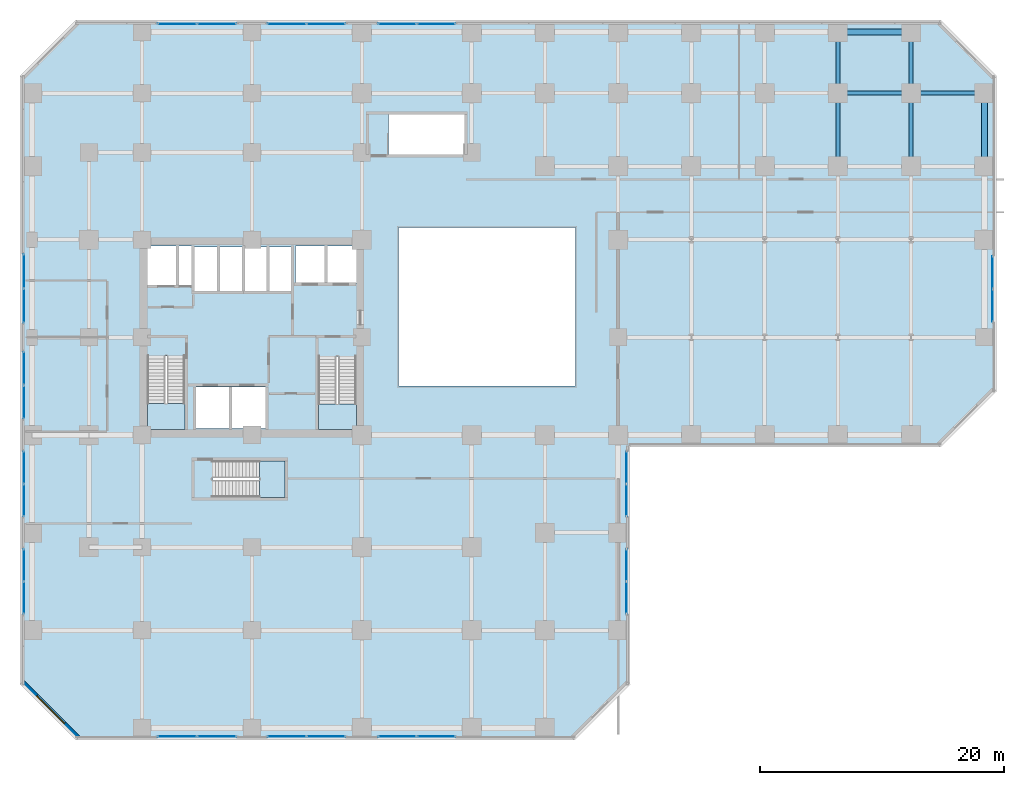
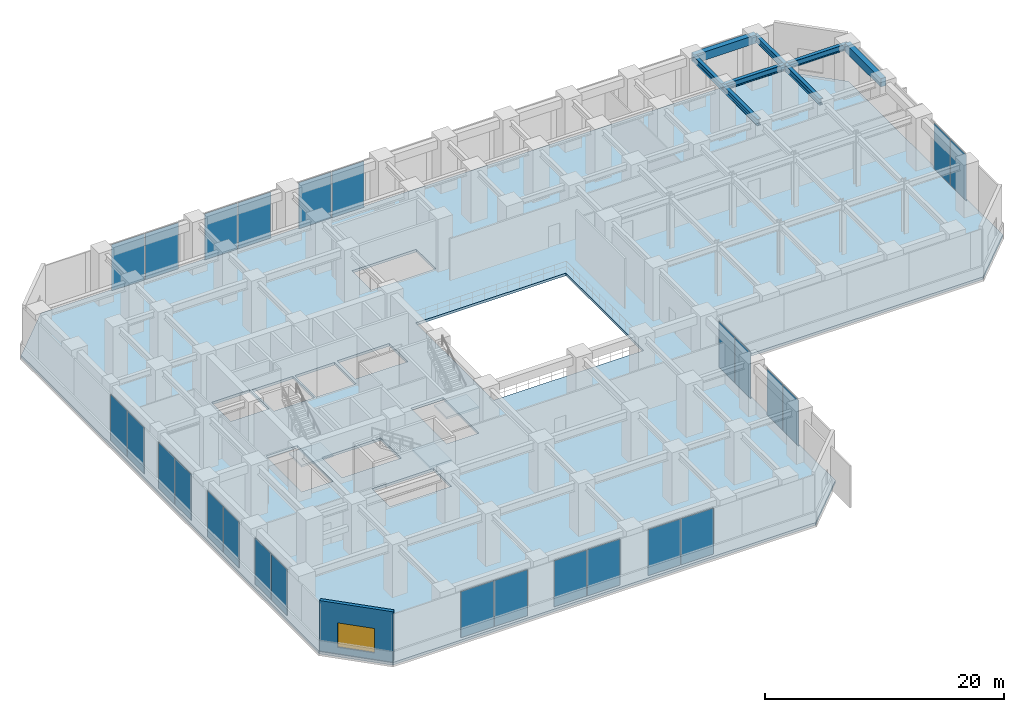
# One storey, part 23 of 33: 26 plates, 8 beams, 4 slabs, 1 wall, 1 window, 1 opening, 16 elements without a shape of their own.
"""IFC4 building model written with IfcOpenShell, lengths in metres."""

from ifc_helpers import new_model, si_unit, direction, frame, frame_2d, origin, origin_2d, place, context, subcontext, project, spatial, polyline, rectangle, i_section, outline, extrude, source, transform, mapped, material, layer, layer_set, material_profile, profile_set, type_object, element, fill, aggregate, save


model = new_model("IFC4")

# Units and contexts
model_context = context("Model", 3, precision=1e-05, world=origin(), true_north=direction((0.0, 1.0)))
body_context = subcontext(model_context, "Body", "Model", "MODEL_VIEW")
ifc_project = project(units=[si_unit("LENGTHUNIT", "METRE"), si_unit("AREAUNIT", "SQUARE_METRE"), si_unit("VOLUMEUNIT", "CUBIC_METRE"), si_unit("PLANEANGLEUNIT", "RADIAN"), si_unit("MASSUNIT", "GRAM", prefix="KILO")], contexts=[model_context])

# Site, building, storey
site_placement = place(None, origin())
site = spatial("IfcSite", under=ifc_project, at=site_placement, CompositionType="ELEMENT")
building_placement = place(site_placement, origin())
building = spatial("IfcBuilding", under=site, at=building_placement, Name="Torre Montelarca", CompositionType="ELEMENT")
storey_placement = place(building_placement, frame((0.0, 0.0, 12.0)))
storey = spatial("IfcBuildingStorey", under=building, at=storey_placement, Name="L03", CompositionType="ELEMENT", Elevation=12.0)

# Beams
ifc_material_1 = material(Name="Concrete C55/67", Category="concrete")
ifc_material_profile_1 = material_profile(ifc_material_1, rectangle(XDim=0.5, YDim=0.85009765625, at=origin_2d()), Name="RCB500X850", Category="concrete")
ifc_profile_set_1 = profile_set([ifc_material_profile_1], Name="Concrete C55/67")
beam_type_1 = type_object("IfcBeamType", Name="BM-SP-RC850-EXT", PredefinedType="SPANDREL", material=ifc_profile_set_1)
shared_shape_1 = source(origin(), body_context, "Body", "SweptSolid", [
    extrude(rectangle(XDim=0.5, YDim=0.85009765625, at=origin_2d()), origin(), (0.0, 0.0, 1.0), 6.0),
])
for number, where, z_axis, x_axis, name in (
    (1, (66.0, 57.0, 4.715087890625), (1.0, 0.0, 0.0), (0.0, 1.0, 0.0), "L03 Grid Girder X 66.0-72.0 at Y=57.0"),
    (2, (78.0, 46.0, 4.715087890625), (0.0, 1.0, 0.0), (-1.0, 0.0, 0.0), "L03 Grid Girder Y 46.0-52.0 at X=78.0"),
):
    element("IfcBeam", number, at=place(storey_placement, frame(where, z_axis=z_axis, x_axis=x_axis)), inside=storey, type_object=beam_type_1, Name=name, PredefinedType="SPANDREL", context=body_context, shape_type="MappedRepresentation", body=[
        mapped(shared_shape_1, transform((0.0, 0.0, 0.0), scale=1.0)),
    ])
ifc_material_2 = material(Name="Steel ASTM A992 Grade 50", Category="steel")
ifc_material_profile_2 = material_profile(ifc_material_2, i_section(OverallWidth=0.326904296875, OverallDepth=0.6220703125, WebThickness=0.015380859375, FlangeThickness=0.0244140625, FilletRadius=0.014892578125, at=origin_2d()), Name="W610X195", Category="steel")
ifc_profile_set_2 = profile_set([ifc_material_profile_2], Name="Steel ASTM A992 Grade 50")
beam_type_2 = type_object("IfcBeamType", Name="BM-G-W610H", PredefinedType="BEAM", material=ifc_profile_set_2)
shared_shape_2 = source(origin(), body_context, "Body", "SweptSolid", [
    extrude(i_section(OverallWidth=0.326904296875, OverallDepth=0.6220703125, WebThickness=0.015380859375, FlangeThickness=0.0244140625, FilletRadius=0.014892578125, at=origin_2d()), origin(), (0.0, 0.0, 1.0), 6.0),
])
for number, where, z_axis, x_axis, name in (
    (3, (66.0, 52.0, 4.8291015625), (1.0, 0.0, 0.0), (0.0, 1.0, 0.0), "L03 Grid Girder X 66.0-72.0 at Y=52.0"),
    (4, (72.0, 52.0, 4.8291015625), (1.0, 0.0, 0.0), (0.0, 1.0, 0.0), "L03 Grid Girder X 72.0-78.0 at Y=52.0"),
    (5, (66.0, 46.0, 4.8291015625), (0.0, 1.0, 0.0), (-1.0, 0.0, 0.0), "L03 Grid Girder Y 46.0-52.0 at X=66.0"),
    (6, (72.0, 46.0, 4.8291015625), (0.0, 1.0, 0.0), (-1.0, 0.0, 0.0), "L03 Grid Girder Y 46.0-52.0 at X=72.0"),
):
    element("IfcBeam", number, at=place(storey_placement, frame(where, z_axis=z_axis, x_axis=x_axis)), inside=storey, type_object=beam_type_2, Name=name, PredefinedType="BEAM", context=body_context, shape_type="MappedRepresentation", body=[
        mapped(shared_shape_2, transform((0.0, 0.0, 0.0), scale=1.0)),
    ])
shared_shape_3 = source(origin(), body_context, "Body", "SweptSolid", [
    extrude(i_section(OverallWidth=0.326904296875, OverallDepth=0.6220703125, WebThickness=0.015380859375, FlangeThickness=0.0244140625, FilletRadius=0.014892578125, at=origin_2d()), origin(), (0.0, 0.0, 1.0), 5.0),
])
for number, where, z_axis, x_axis, name in (
    (7, (66.0, 52.0, 4.8291015625), (0.0, 1.0, 0.0), (-1.0, 0.0, 0.0), "L03 Grid Girder Y 52.0-57.0 at X=66.0"),
    (8, (72.0, 52.0, 4.8291015625), (0.0, 1.0, 0.0), (-1.0, 0.0, 0.0), "L03 Grid Girder Y 52.0-57.0 at X=72.0"),
):
    element("IfcBeam", number, at=place(storey_placement, frame(where, z_axis=z_axis, x_axis=x_axis)), inside=storey, type_object=beam_type_2, Name=name, PredefinedType="BEAM", context=body_context, shape_type="MappedRepresentation", body=[
        mapped(shared_shape_3, transform((0.0, 0.0, 0.0), scale=1.0)),
    ])

# Slab
ifc_material_3 = material(Name="Concrete C40/50", Category="concrete")
ifc_layer_1 = layer(ifc_material_3, 0.260009765625, Name="Concrete C40/50", Category="concrete")
ifc_layer_set_1 = layer_set([ifc_layer_1], Name="Concrete C40/50")
slab_type_1 = type_object("IfcSlabType", Name="SL-FLR-260", PredefinedType="FLOOR", material=ifc_layer_set_1)
slab_1_placement = place(storey_placement, frame((0.0, 0.0, -0.260009765625)))
element("IfcSlab", 9, at=slab_1_placement, inside=storey, type_object=slab_type_1, Name="L03 Structural Floor Slab", PredefinedType="FLOOR", context=body_context, shape_type="SweptSolid", body=[
    extrude(outline(polyline([(44.39990234375, -0.89990234375), (48.89990234375, 3.60009765625), (48.89990234375, 23.10009765625), (74.39990234375, 23.10009765625), (78.89990234375, 27.60009765625), (78.89990234375, 53.39990234375), (74.39990234375, 57.89990234375), (3.60009765625, 57.89990234375), (-0.89990234375, 53.39990234375), (-0.89990234375, 3.60009765625), (3.60009765625, -0.89990234375), (44.39990234375, -0.89990234375)]), holes=[polyline([(20.699951171875, 18.89990234375), (14.760009765625, 18.89990234375), (14.760009765625, 21.889892578125), (20.699951171875, 21.889892578125), (20.699951171875, 18.89990234375)]), polyline([(19.10009765625, 24.550048828125), (13.39990234375, 24.550048828125), (13.39990234375, 27.949951171875), (19.10009765625, 27.949951171875), (19.10009765625, 24.550048828125)]), polyline([(23.43994140625, 24.449951171875), (23.43994140625, 30.429931640625), (26.550048828125, 30.429931640625), (26.550048828125, 24.449951171875), (23.43994140625, 24.449951171875)]), polyline([(9.449951171875, 30.4599609375), (12.5, 30.4599609375), (12.5, 24.449951171875), (9.449951171875, 24.449951171875), (9.449951171875, 30.4599609375)]), polyline([(30.0, 28.0), (30.0, 41.0), (44.5, 41.0), (44.5, 28.0), (30.0, 28.0)]), polyline([(17.25, 35.800048828125), (13.300048828125, 35.800048828125), (13.300048828125, 39.39990234375), (17.25, 39.39990234375), (17.25, 35.800048828125)]), polyline([(21.25, 35.800048828125), (17.39990234375, 35.800048828125), (17.39990234375, 39.39990234375), (21.25, 39.39990234375), (21.25, 35.800048828125)]), polyline([(13.1201171875, 36.300048828125), (9.449951171875, 36.300048828125), (9.449951171875, 39.5), (13.1201171875, 39.5), (13.1201171875, 36.300048828125)]), polyline([(21.550048828125, 36.449951171875), (21.550048828125, 39.5), (26.60009765625, 39.5), (26.60009765625, 36.449951171875), (21.550048828125, 36.449951171875)]), polyline([(29.18994140625, 47.0), (29.18994140625, 50.25), (35.39990234375, 50.25), (35.39990234375, 47.0), (29.18994140625, 47.0)])]), origin(), (0.0, 0.0, 1.0), 0.260009765625),
])

# Stair, slab
stair_type_1 = type_object("IfcStairType", Name="ST-CORE-ST1", PredefinedType="HALF_TURN_STAIR", material=ifc_material_3)
stair_1_placement = place(storey_placement, origin())
stair_1 = element("IfcStair", 10, at=stair_1_placement, inside=storey, type_object=stair_type_1, Name="L03 Protected Exit Stair ST1", PredefinedType="HALF_TURN_STAIR")
ifc_layer_2 = layer(ifc_material_3, 0.199951171875, Name="Concrete C40/50", Category="concrete")
ifc_layer_set_2 = layer_set([ifc_layer_2], Name="Concrete C40/50")
slab_type_2 = type_object("IfcSlabType", Name="SL-ST-LAND-ST1", PredefinedType="LANDING", material=ifc_layer_set_2)
slab_2_placement = place(storey_placement, frame((0.0, 0.0, 2.5)))
slab_2 = element("IfcSlab", 11, at=slab_2_placement, type_object=slab_type_2, Name="ST1 landing 1", PredefinedType="LANDING", context=body_context, shape_type="SweptSolid", body=[
    extrude(outline(polyline([(9.449951171875, 26.580078125), (9.449951171875, 24.449951171875), (12.5, 24.449951171875), (12.5, 26.580078125), (9.449951171875, 26.580078125)])), origin(), (0.0, 0.0, 1.0), 0.199951171875),
])
aggregate(stair_1, [slab_2])

stair_type_2 = type_object("IfcStairType", Name="ST-CORE-ST2", PredefinedType="HALF_TURN_STAIR", material=ifc_material_3)
stair_2_placement = place(storey_placement, origin())
stair_2 = element("IfcStair", 12, at=stair_2_placement, inside=storey, type_object=stair_type_2, Name="L03 Protected Exit Stair ST2", PredefinedType="HALF_TURN_STAIR")
ifc_layer_3 = layer(ifc_material_3, 0.199951171875, Name="Concrete C40/50", Category="concrete")
ifc_layer_set_3 = layer_set([ifc_layer_3], Name="Concrete C40/50")
slab_type_3 = type_object("IfcSlabType", Name="SL-ST-LAND-ST2", PredefinedType="LANDING", material=ifc_layer_set_3)
slab_3_placement = place(storey_placement, frame((0.0, 0.0, 2.5)))
slab_3 = element("IfcSlab", 13, at=slab_3_placement, type_object=slab_type_3, Name="ST2 landing 1", PredefinedType="LANDING", context=body_context, shape_type="SweptSolid", body=[
    extrude(outline(polyline([(23.43994140625, 26.550048828125), (23.43994140625, 24.449951171875), (26.550048828125, 24.449951171875), (26.550048828125, 26.550048828125), (23.43994140625, 26.550048828125)])), origin(), (0.0, 0.0, 1.0), 0.199951171875),
])
aggregate(stair_2, [slab_3])

stair_type_3 = type_object("IfcStairType", Name="ST-CORE-ST3", PredefinedType="HALF_TURN_STAIR", material=ifc_material_3)
stair_3_placement = place(storey_placement, origin())
stair_3 = element("IfcStair", 14, at=stair_3_placement, inside=storey, type_object=stair_type_3, Name="L03 Low-Rise Exit Stair ST3", PredefinedType="HALF_TURN_STAIR")
ifc_layer_4 = layer(ifc_material_3, 0.199951171875, Name="Concrete C40/50", Category="concrete")
ifc_layer_set_4 = layer_set([ifc_layer_4], Name="Concrete C40/50")
slab_type_4 = type_object("IfcSlabType", Name="SL-ST-LAND-ST3", PredefinedType="LANDING", material=ifc_layer_set_4)
slab_4_placement = place(storey_placement, frame((0.0, 0.0, 2.5)))
slab_4 = element("IfcSlab", 15, at=slab_4_placement, type_object=slab_type_4, Name="ST3 landing 1", PredefinedType="LANDING", context=body_context, shape_type="SweptSolid", body=[
    extrude(outline(polyline([(18.639892578125, 18.89990234375), (20.699951171875, 18.89990234375), (20.699951171875, 21.889892578125), (18.639892578125, 21.889892578125), (18.639892578125, 18.89990234375)])), origin(), (0.0, 0.0, 1.0), 0.199951171875),
])
aggregate(stair_3, [slab_4])

# Curtain wall, plates
ifc_material_4 = material(Name="Insulated low-E laminated glass", Category="glass")
curtain_wall_type = type_object("IfcCurtainWallType", Name="CW-SYS-POD2", PredefinedType="USERDEFINED", material=ifc_material_4)
curtain_wall_1_placement = place(storey_placement, origin())
curtain_wall_1 = element("IfcCurtainWall", 16, at=curtain_wall_1_placement, inside=storey, type_object=curtain_wall_type, Name="L03 Curtain Wall Run CW-T3-L03-E01-B1", ObjectType="UNITISED GLAZING", PredefinedType="USERDEFINED")
ifc_layer_5 = layer(ifc_material_4, 0.035888671875, Name="Insulated low-E laminated glass", Category="glass")
ifc_layer_set_5 = layer_set([ifc_layer_5], Name="Insulated low-E laminated glass")
plate_type = type_object("IfcPlateType", Name="CWP-GLZ-36", PredefinedType="CURTAIN_PANEL", material=ifc_layer_set_5)
shared_shape_4 = source(origin(), body_context, "Body", "SweptSolid", [
    extrude(rectangle(XDim=3.1826171875, YDim=0.035888671875, at=origin_2d()), origin(), (0.0, 0.0, 1.0), 4.699951171875),
])
plate_1_placement = place(storey_placement, frame((11.871337890625, -0.679931640625, 0.0751953125), z_axis=(0.0, 0.0, 1.0), x_axis=(1.0, 0.0, 0.0)))
plate_1 = element("IfcPlate", 17, at=plate_1_placement, type_object=plate_type, Name="CW panel 1.1", PredefinedType="CURTAIN_PANEL", context=body_context, shape_type="MappedRepresentation", body=[
    mapped(shared_shape_4, transform((0.0, 0.0, 0.0), scale=1.0)),
])
plate_2_placement = place(storey_placement, frame((15.128662109375, -0.679931640625, 0.0751953125), z_axis=(0.0, 0.0, 1.0), x_axis=(1.0, 0.0, 0.0)))
plate_2 = element("IfcPlate", 18, at=plate_2_placement, type_object=plate_type, Name="CW panel 2.1", PredefinedType="CURTAIN_PANEL", context=body_context, shape_type="MappedRepresentation", body=[
    mapped(shared_shape_4, transform((0.0, 0.0, 0.0), scale=1.0)),
])
aggregate(curtain_wall_1, [plate_1, plate_2])

curtain_wall_2_placement = place(storey_placement, origin())
curtain_wall_2 = element("IfcCurtainWall", 19, at=curtain_wall_2_placement, inside=storey, type_object=curtain_wall_type, Name="L03 Curtain Wall Run CW-T3-L03-E08-B3", ObjectType="UNITISED GLAZING", PredefinedType="USERDEFINED")
plate_3_placement = place(storey_placement, frame((15.128662109375, 57.679931640625, 0.0751953125), z_axis=(0.0, 0.0, 1.0), x_axis=(-1.0, 0.0, 0.0)))
plate_3 = element("IfcPlate", 20, at=plate_3_placement, type_object=plate_type, Name="CW panel 1.1", PredefinedType="CURTAIN_PANEL", context=body_context, shape_type="MappedRepresentation", body=[
    mapped(shared_shape_4, transform((0.0, 0.0, 0.0), scale=1.0)),
])
plate_4_placement = place(storey_placement, frame((11.871337890625, 57.679931640625, 0.0751953125), z_axis=(0.0, 0.0, 1.0), x_axis=(-1.0, 0.0, 0.0)))
plate_4 = element("IfcPlate", 21, at=plate_4_placement, type_object=plate_type, Name="CW panel 2.1", PredefinedType="CURTAIN_PANEL", context=body_context, shape_type="MappedRepresentation", body=[
    mapped(shared_shape_4, transform((0.0, 0.0, 0.0), scale=1.0)),
])
aggregate(curtain_wall_2, [plate_3, plate_4])

curtain_wall_3_placement = place(storey_placement, origin())
curtain_wall_3 = element("IfcCurtainWall", 22, at=curtain_wall_3_placement, inside=storey, type_object=curtain_wall_type, Name="L03 Curtain Wall Run CW-T3-L03-E01-B2", ObjectType="UNITISED GLAZING", PredefinedType="USERDEFINED")
shared_shape_5 = source(origin(), body_context, "Body", "SweptSolid", [
    extrude(rectangle(XDim=3.14501953125, YDim=0.035888671875, at=origin_2d()), origin(), (0.0, 0.0, 1.0), 4.699951171875),
])
plate_5_placement = place(storey_placement, frame((20.8525390625, -0.679931640625, 0.0751953125), z_axis=(0.0, 0.0, 1.0), x_axis=(1.0, 0.0, 0.0)))
plate_5 = element("IfcPlate", 23, at=plate_5_placement, type_object=plate_type, Name="CW panel 1.1", PredefinedType="CURTAIN_PANEL", context=body_context, shape_type="MappedRepresentation", body=[
    mapped(shared_shape_5, transform((0.0, 0.0, 0.0), scale=1.0)),
])
plate_6_placement = place(storey_placement, frame((24.072509765625, -0.679931640625, 0.0751953125), z_axis=(0.0, 0.0, 1.0), x_axis=(1.0, 0.0, 0.0)))
plate_6 = element("IfcPlate", 24, at=plate_6_placement, type_object=plate_type, Name="CW panel 2.1", PredefinedType="CURTAIN_PANEL", context=body_context, shape_type="MappedRepresentation", body=[
    mapped(shared_shape_5, transform((0.0, 0.0, 0.0), scale=1.0)),
])
aggregate(curtain_wall_3, [plate_5, plate_6])

curtain_wall_4_placement = place(storey_placement, origin())
curtain_wall_4 = element("IfcCurtainWall", 25, at=curtain_wall_4_placement, inside=storey, type_object=curtain_wall_type, Name="L03 Curtain Wall Run CW-T3-L03-E08-B2", ObjectType="UNITISED GLAZING", PredefinedType="USERDEFINED")
plate_7_placement = place(storey_placement, frame((24.072509765625, 57.679931640625, 0.0751953125), z_axis=(0.0, 0.0, 1.0), x_axis=(-1.0, 0.0, 0.0)))
plate_7 = element("IfcPlate", 26, at=plate_7_placement, type_object=plate_type, Name="CW panel 1.1", PredefinedType="CURTAIN_PANEL", context=body_context, shape_type="MappedRepresentation", body=[
    mapped(shared_shape_5, transform((0.0, 0.0, 0.0), scale=1.0)),
])
plate_8_placement = place(storey_placement, frame((20.8525390625, 57.679931640625, 0.0751953125), z_axis=(0.0, 0.0, 1.0), x_axis=(-1.0, 0.0, 0.0)))
plate_8 = element("IfcPlate", 27, at=plate_8_placement, type_object=plate_type, Name="CW panel 2.1", PredefinedType="CURTAIN_PANEL", context=body_context, shape_type="MappedRepresentation", body=[
    mapped(shared_shape_5, transform((0.0, 0.0, 0.0), scale=1.0)),
])
aggregate(curtain_wall_4, [plate_7, plate_8])

curtain_wall_5_placement = place(storey_placement, origin())
curtain_wall_5 = element("IfcCurtainWall", 28, at=curtain_wall_5_placement, inside=storey, type_object=curtain_wall_type, Name="L03 Curtain Wall Run CW-T3-L03-E01-B3", ObjectType="UNITISED GLAZING", PredefinedType="USERDEFINED")
shared_shape_6 = source(origin(), body_context, "Body", "SweptSolid", [
    extrude(rectangle(XDim=3.107421875, YDim=0.035888671875, at=origin_2d()), origin(), (0.0, 0.0, 1.0), 4.699951171875),
])
plate_9_placement = place(storey_placement, frame((29.90869140625, -0.679931640625, 0.0751953125), z_axis=(0.0, 0.0, 1.0), x_axis=(1.0, 0.0, 0.0)))
plate_9 = element("IfcPlate", 29, at=plate_9_placement, type_object=plate_type, Name="CW panel 1.1", PredefinedType="CURTAIN_PANEL", context=body_context, shape_type="MappedRepresentation", body=[
    mapped(shared_shape_6, transform((0.0, 0.0, 0.0), scale=1.0)),
])
plate_10_placement = place(storey_placement, frame((33.09130859375, -0.679931640625, 0.0751953125), z_axis=(0.0, 0.0, 1.0), x_axis=(1.0, 0.0, 0.0)))
plate_10 = element("IfcPlate", 30, at=plate_10_placement, type_object=plate_type, Name="CW panel 2.1", PredefinedType="CURTAIN_PANEL", context=body_context, shape_type="MappedRepresentation", body=[
    mapped(shared_shape_6, transform((0.0, 0.0, 0.0), scale=1.0)),
])
aggregate(curtain_wall_5, [plate_9, plate_10])

curtain_wall_6_placement = place(storey_placement, origin())
curtain_wall_6 = element("IfcCurtainWall", 31, at=curtain_wall_6_placement, inside=storey, type_object=curtain_wall_type, Name="L03 Curtain Wall Run CW-T3-L03-E08-B1", ObjectType="UNITISED GLAZING", PredefinedType="USERDEFINED")
plate_11_placement = place(storey_placement, frame((33.09130859375, 57.679931640625, 0.0751953125), z_axis=(0.0, 0.0, 1.0), x_axis=(-1.0, 0.0, 0.0)))
plate_11 = element("IfcPlate", 32, at=plate_11_placement, type_object=plate_type, Name="CW panel 1.1", PredefinedType="CURTAIN_PANEL", context=body_context, shape_type="MappedRepresentation", body=[
    mapped(shared_shape_6, transform((0.0, 0.0, 0.0), scale=1.0)),
])
plate_12_placement = place(storey_placement, frame((29.90869140625, 57.679931640625, 0.0751953125), z_axis=(0.0, 0.0, 1.0), x_axis=(-1.0, 0.0, 0.0)))
plate_12 = element("IfcPlate", 33, at=plate_12_placement, type_object=plate_type, Name="CW panel 2.1", PredefinedType="CURTAIN_PANEL", context=body_context, shape_type="MappedRepresentation", body=[
    mapped(shared_shape_6, transform((0.0, 0.0, 0.0), scale=1.0)),
])
aggregate(curtain_wall_6, [plate_11, plate_12])

curtain_wall_7_placement = place(storey_placement, origin())
curtain_wall_7 = element("IfcCurtainWall", 34, at=curtain_wall_7_placement, inside=storey, type_object=curtain_wall_type, Name="L03 Curtain Wall Run CW-T3-L03-E03-B1", ObjectType="UNITISED GLAZING", PredefinedType="USERDEFINED")
shared_shape_7 = source(origin(), body_context, "Body", "SweptSolid", [
    extrude(rectangle(XDim=2.607421875, YDim=0.035888671875, at=origin_2d()), origin(), (0.0, 0.0, 1.0), 4.699951171875),
])
plate_13_placement = place(storey_placement, frame((48.679931640625, 10.65869140625, 0.0751953125), z_axis=(0.0, 0.0, 1.0), x_axis=(0.0, 1.0, 0.0)))
plate_13 = element("IfcPlate", 35, at=plate_13_placement, type_object=plate_type, Name="CW panel 1.1", PredefinedType="CURTAIN_PANEL", context=body_context, shape_type="MappedRepresentation", body=[
    mapped(shared_shape_7, transform((0.0, 0.0, 0.0), scale=1.0)),
])
plate_14_placement = place(storey_placement, frame((48.679931640625, 13.34130859375, 0.0751953125), z_axis=(0.0, 0.0, 1.0), x_axis=(0.0, 1.0, 0.0)))
plate_14 = element("IfcPlate", 36, at=plate_14_placement, type_object=plate_type, Name="CW panel 2.1", PredefinedType="CURTAIN_PANEL", context=body_context, shape_type="MappedRepresentation", body=[
    mapped(shared_shape_7, transform((0.0, 0.0, 0.0), scale=1.0)),
])
aggregate(curtain_wall_7, [plate_13, plate_14])

curtain_wall_8_placement = place(storey_placement, origin())
curtain_wall_8 = element("IfcCurtainWall", 37, at=curtain_wall_8_placement, inside=storey, type_object=curtain_wall_type, Name="L03 Curtain Wall Run CW-T3-L03-E03-B2", ObjectType="UNITISED GLAZING", PredefinedType="USERDEFINED")
plate_15_placement = place(storey_placement, frame((48.679931640625, 18.65869140625, 0.0751953125), z_axis=(0.0, 0.0, 1.0), x_axis=(0.0, 1.0, 0.0)))
plate_15 = element("IfcPlate", 38, at=plate_15_placement, type_object=plate_type, Name="CW panel 1.1", PredefinedType="CURTAIN_PANEL", context=body_context, shape_type="MappedRepresentation", body=[
    mapped(shared_shape_7, transform((0.0, 0.0, 0.0), scale=1.0)),
])
plate_16_placement = place(storey_placement, frame((48.679931640625, 21.34130859375, 0.0751953125), z_axis=(0.0, 0.0, 1.0), x_axis=(0.0, 1.0, 0.0)))
plate_16 = element("IfcPlate", 39, at=plate_16_placement, type_object=plate_type, Name="CW panel 2.1", PredefinedType="CURTAIN_PANEL", context=body_context, shape_type="MappedRepresentation", body=[
    mapped(shared_shape_7, transform((0.0, 0.0, 0.0), scale=1.0)),
])
aggregate(curtain_wall_8, [plate_15, plate_16])

curtain_wall_9_placement = place(storey_placement, origin())
curtain_wall_9 = element("IfcCurtainWall", 40, at=curtain_wall_9_placement, inside=storey, type_object=curtain_wall_type, Name="L03 Curtain Wall Run CW-T3-L03-E10-B3", ObjectType="UNITISED GLAZING", PredefinedType="USERDEFINED")
plate_17_placement = place(storey_placement, frame((-0.679931640625, 21.34130859375, 0.0751953125), z_axis=(0.0, 0.0, 1.0), x_axis=(0.0, -1.0, 0.0)))
plate_17 = element("IfcPlate", 41, at=plate_17_placement, type_object=plate_type, Name="CW panel 1.1", PredefinedType="CURTAIN_PANEL", context=body_context, shape_type="MappedRepresentation", body=[
    mapped(shared_shape_7, transform((0.0, 0.0, 0.0), scale=1.0)),
])
plate_18_placement = place(storey_placement, frame((-0.679931640625, 18.65869140625, 0.0751953125), z_axis=(0.0, 0.0, 1.0), x_axis=(0.0, -1.0, 0.0)))
plate_18 = element("IfcPlate", 42, at=plate_18_placement, type_object=plate_type, Name="CW panel 2.1", PredefinedType="CURTAIN_PANEL", context=body_context, shape_type="MappedRepresentation", body=[
    mapped(shared_shape_7, transform((0.0, 0.0, 0.0), scale=1.0)),
])
aggregate(curtain_wall_9, [plate_17, plate_18])

curtain_wall_10_placement = place(storey_placement, origin())
curtain_wall_10 = element("IfcCurtainWall", 43, at=curtain_wall_10_placement, inside=storey, type_object=curtain_wall_type, Name="L03 Curtain Wall Run CW-T3-L03-E10-B4", ObjectType="UNITISED GLAZING", PredefinedType="USERDEFINED")
plate_19_placement = place(storey_placement, frame((-0.679931640625, 13.34130859375, 0.0751953125), z_axis=(0.0, 0.0, 1.0), x_axis=(0.0, -1.0, 0.0)))
plate_19 = element("IfcPlate", 44, at=plate_19_placement, type_object=plate_type, Name="CW panel 1.1", PredefinedType="CURTAIN_PANEL", context=body_context, shape_type="MappedRepresentation", body=[
    mapped(shared_shape_7, transform((0.0, 0.0, 0.0), scale=1.0)),
])
plate_20_placement = place(storey_placement, frame((-0.679931640625, 10.65869140625, 0.0751953125), z_axis=(0.0, 0.0, 1.0), x_axis=(0.0, -1.0, 0.0)))
plate_20 = element("IfcPlate", 45, at=plate_20_placement, type_object=plate_type, Name="CW panel 2.1", PredefinedType="CURTAIN_PANEL", context=body_context, shape_type="MappedRepresentation", body=[
    mapped(shared_shape_7, transform((0.0, 0.0, 0.0), scale=1.0)),
])
aggregate(curtain_wall_10, [plate_19, plate_20])

curtain_wall_11_placement = place(storey_placement, origin())
curtain_wall_11 = element("IfcCurtainWall", 46, at=curtain_wall_11_placement, inside=storey, type_object=curtain_wall_type, Name="L03 Curtain Wall Run CW-T3-L03-E06-B1", ObjectType="UNITISED GLAZING", PredefinedType="USERDEFINED")
shared_shape_8 = source(origin(), body_context, "Body", "SweptSolid", [
    extrude(rectangle(XDim=2.64501953125, YDim=0.035888671875, at=origin_2d()), origin(), (0.0, 0.0, 1.0), 4.699951171875),
])
plate_21_placement = place(storey_placement, frame((78.679931640625, 34.6025390625, 0.0751953125), z_axis=(0.0, 0.0, 1.0), x_axis=(0.0, 1.0, 0.0)))
plate_21 = element("IfcPlate", 47, at=plate_21_placement, type_object=plate_type, Name="CW panel 1.1", PredefinedType="CURTAIN_PANEL", context=body_context, shape_type="MappedRepresentation", body=[
    mapped(shared_shape_8, transform((0.0, 0.0, 0.0), scale=1.0)),
])
plate_22_placement = place(storey_placement, frame((78.679931640625, 37.322509765625, 0.0751953125), z_axis=(0.0, 0.0, 1.0), x_axis=(0.0, 1.0, 0.0)))
plate_22 = element("IfcPlate", 48, at=plate_22_placement, type_object=plate_type, Name="CW panel 2.1", PredefinedType="CURTAIN_PANEL", context=body_context, shape_type="MappedRepresentation", body=[
    mapped(shared_shape_8, transform((0.0, 0.0, 0.0), scale=1.0)),
])
aggregate(curtain_wall_11, [plate_21, plate_22])

curtain_wall_12_placement = place(storey_placement, origin())
curtain_wall_12 = element("IfcCurtainWall", 49, at=curtain_wall_12_placement, inside=storey, type_object=curtain_wall_type, Name="L03 Curtain Wall Run CW-T3-L03-E10-B1", ObjectType="UNITISED GLAZING", PredefinedType="USERDEFINED")
shared_shape_9 = source(origin(), body_context, "Body", "SweptSolid", [
    extrude(rectangle(XDim=2.757568359375, YDim=0.035888671875, at=origin_2d()), origin(), (0.0, 0.0, 1.0), 4.699951171875),
])
plate_23_placement = place(storey_placement, frame((-0.679931640625, 37.416259765625, 0.0751953125), z_axis=(0.0, 0.0, 1.0), x_axis=(0.0, -1.0, 0.0)))
plate_23 = element("IfcPlate", 50, at=plate_23_placement, type_object=plate_type, Name="CW panel 1.1", PredefinedType="CURTAIN_PANEL", context=body_context, shape_type="MappedRepresentation", body=[
    mapped(shared_shape_9, transform((0.0, 0.0, 0.0), scale=1.0)),
])
plate_24_placement = place(storey_placement, frame((-0.679931640625, 34.583740234375, 0.0751953125), z_axis=(0.0, 0.0, 1.0), x_axis=(0.0, -1.0, 0.0)))
plate_24 = element("IfcPlate", 51, at=plate_24_placement, type_object=plate_type, Name="CW panel 2.1", PredefinedType="CURTAIN_PANEL", context=body_context, shape_type="MappedRepresentation", body=[
    mapped(shared_shape_9, transform((0.0, 0.0, 0.0), scale=1.0)),
])
aggregate(curtain_wall_12, [plate_23, plate_24])

curtain_wall_13_placement = place(storey_placement, origin())
curtain_wall_13 = element("IfcCurtainWall", 52, at=curtain_wall_13_placement, inside=storey, type_object=curtain_wall_type, Name="L03 Curtain Wall Run CW-T3-L03-E10-B2", ObjectType="UNITISED GLAZING", PredefinedType="USERDEFINED")
shared_shape_10 = source(origin(), body_context, "Body", "SweptSolid", [
    extrude(rectangle(XDim=2.6826171875, YDim=0.035888671875, at=origin_2d()), origin(), (0.0, 0.0, 1.0), 4.699951171875),
])
plate_25_placement = place(storey_placement, frame((-0.679931640625, 29.453857421875, 0.0751953125), z_axis=(0.0, 0.0, 1.0), x_axis=(0.0, -1.0, 0.0)))
plate_25 = element("IfcPlate", 53, at=plate_25_placement, type_object=plate_type, Name="CW panel 1.1", PredefinedType="CURTAIN_PANEL", context=body_context, shape_type="MappedRepresentation", body=[
    mapped(shared_shape_10, transform((0.0, 0.0, 0.0), scale=1.0)),
])
plate_26_placement = place(storey_placement, frame((-0.679931640625, 26.6962890625, 0.0751953125), z_axis=(0.0, 0.0, 1.0), x_axis=(0.0, -1.0, 0.0)))
plate_26 = element("IfcPlate", 54, at=plate_26_placement, type_object=plate_type, Name="CW panel 2.1", PredefinedType="CURTAIN_PANEL", context=body_context, shape_type="MappedRepresentation", body=[
    mapped(shared_shape_10, transform((0.0, 0.0, 0.0), scale=1.0)),
])
aggregate(curtain_wall_13, [plate_25, plate_26])

# Wall, opening, window
ifc_material_5 = material(Name="Precast concrete C45/55", Category="concrete")
ifc_layer_6 = layer(ifc_material_5, 0.320068359375, Name="Precast concrete C45/55", Category="concrete")
ifc_layer_set_6 = layer_set([ifc_layer_6], Name="Precast concrete C45/55")
wall_type = type_object("IfcWallType", Name="EW-CONC-320", PredefinedType="SOLIDWALL", material=ifc_layer_set_6)
wall_placement = place(storey_placement, frame((-0.744384765625, 3.755615234375, 0.0), z_axis=(0.0, 0.0, 1.0), x_axis=(0.707106781187, -0.707106781187, 0.0)))
wall = element("IfcWall", 55, at=wall_placement, inside=storey, type_object=wall_type, Name="L03 Podium Precast Concrete Wall E11", PredefinedType="SOLIDWALL", context=body_context, shape_type="SweptSolid", body=[
    extrude(rectangle(XDim=6.364013671875, YDim=0.320068359375, at=frame_2d((3.18212890625, 0.0))), origin(), (0.0, 0.0, 1.0), 5.139892578125),
])
opening_placement = place(wall_placement, frame((1.58203125, 0.0, 0.64990234375)))
opening = element("IfcOpeningElement", 56, at=opening_placement, cuts=wall, Name="Opening W-07", PredefinedType="OPENING", context=body_context, shape_type="SweptSolid", body=[
    extrude(rectangle(XDim=3.199951171875, YDim=2.5, at=frame_2d((1.60009765625, 1.25))), frame((0.0, 0.169921875, 0.0), z_axis=(0.0, -1.0, 0.0), x_axis=(1.0, 0.0, 0.0)), (0.0, 0.0, 1.0), 0.340087890625),
])
ifc_material_6 = material(Name="Insulated low-E laminated glass in aluminium frame", Category="aluminium")
window_type = type_object("IfcWindowType", Name="WIN-W07", PartitioningType="TRIPLE_PANEL_VERTICAL", PredefinedType="WINDOW", material=ifc_material_6)
shared_shape_11 = source(origin(), body_context, "Body", "SweptSolid", [
    extrude(rectangle(XDim=3.199951171875, YDim=2.5, at=frame_2d((1.60009765625, 1.25))), frame((0.0, 0.030029296875, 0.0), z_axis=(0.0, -1.0, 0.0), x_axis=(1.0, 0.0, 0.0)), (0.0, 0.0, 1.0), 0.06005859375),
])
window_placement = place(opening_placement, origin())
window = element("IfcWindow", 57, at=window_placement, inside=storey, type_object=window_type, Name="L03 Podium Chamfer Feature Window E11", OverallHeight=2.5, OverallWidth=3.199951171875, PartitioningType="TRIPLE_PANEL_VERTICAL", PredefinedType="WINDOW", context=body_context, shape_type="MappedRepresentation", body=[
    mapped(shared_shape_11, transform((0.0, 0.0, 0.0), scale=1.0)),
])
fill(opening, window)

save(model, "model.ifc")
